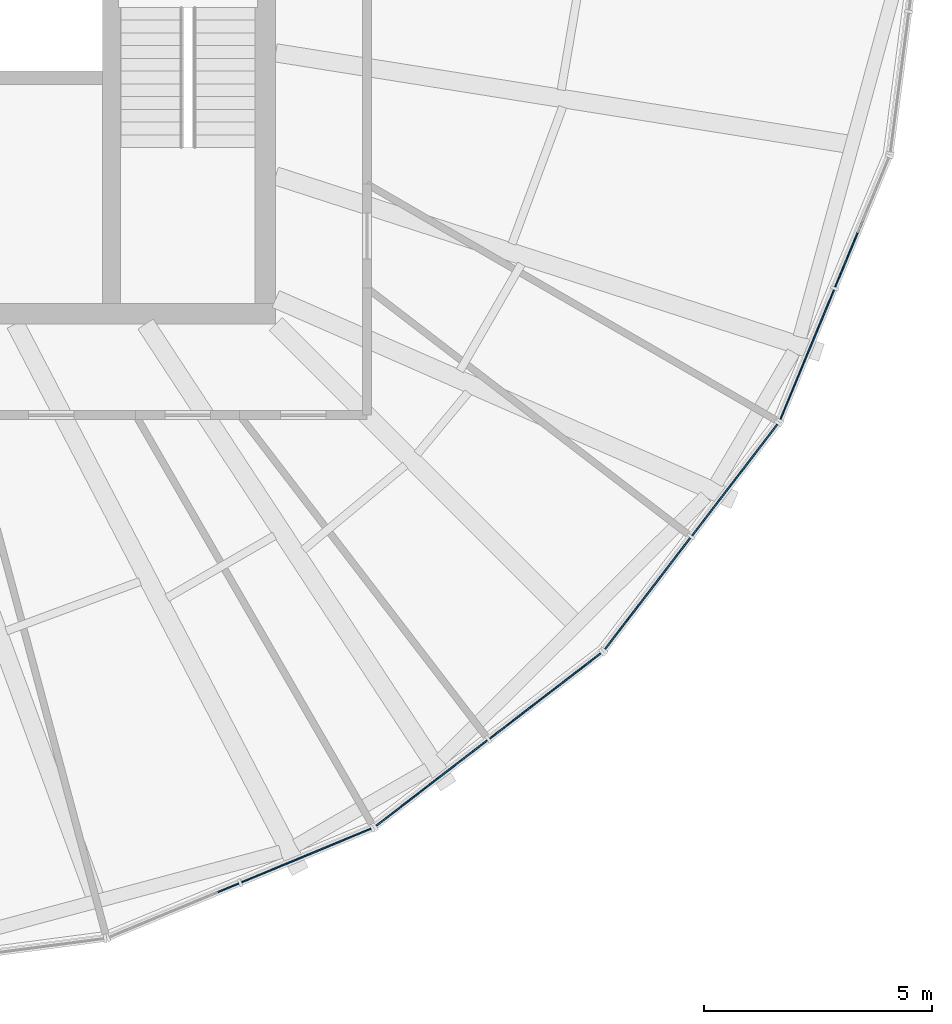
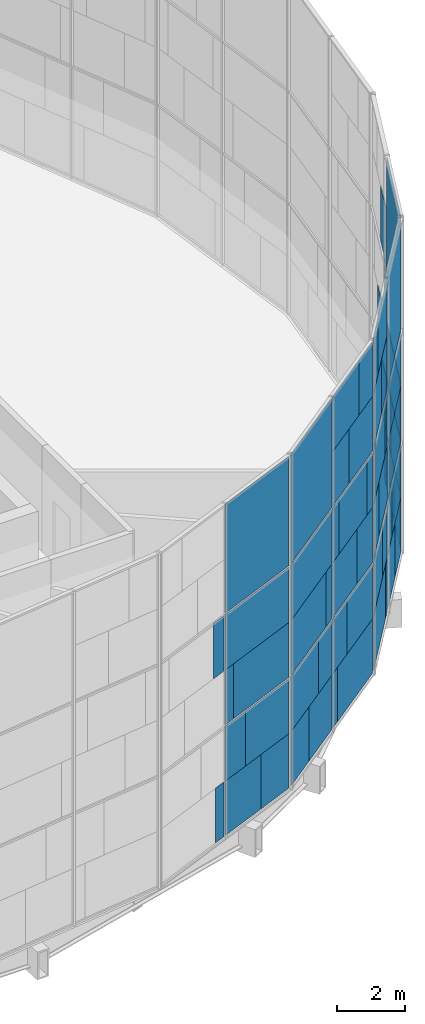
# One storey, part 13 of 22: 65 plates, 4 elements without a shape of their own.
"""IFC4 building model written with IfcOpenShell, lengths in metres."""

import ifcopenshell
import ifcopenshell.guid

model = None  # the IFC model being written
_history = None  # IfcOwnerHistory: only IFC2X3 demands one
_inside = {}  # id of a spatial element -> (the spatial element, [elements in it])
_under = {}  # id of a project, library or spatial element -> (it, [spatial elements below it])
_declared = {}  # id of a project -> (the project, [libraries it declares])
_typed = {}  # id of a type object -> (the type object, [elements of that type])
_made_of = {}  # id of a material, layer set ... -> (it, [elements and type objects made of it])


def new_model(schema):
    """Start an empty IFC model of exactly this schema.

    Asked for "IFC4X3", IfcOpenShell would pick the latest addendum, in which some entities
    have other attributes; the version numbers below select the first issue.
    IFC2X3 requires an IfcOwnerHistory on every rooted entity: one is made here for all.
    """
    global model, _history
    if schema == "IFC4X3":
        model = ifcopenshell.file(schema_version=(4, 3, 0, 0))
    else:
        model = ifcopenshell.file(schema=schema)
    _inside.clear()
    _under.clear()
    _declared.clear()
    _typed.clear()
    _made_of.clear()
    _history = None
    if model.schema == "IFC2X3":
        org = make("IfcOrganization", Name="unknown")
        user = make(
            "IfcPersonAndOrganization",
            ThePerson=make("IfcPerson", FamilyName="unknown"),
            TheOrganization=org,
        )
        app = make(
            "IfcApplication",
            ApplicationDeveloper=org,
            Version="unknown",
            ApplicationFullName="unknown",
            ApplicationIdentifier="unknown",
        )
        _history = make(
            "IfcOwnerHistory",
            OwningUser=user,
            OwningApplication=app,
            ChangeAction="ADDED",
            CreationDate=0,
        )
    return model


def make(cls, **values):
    """One entity of the class cls with the attributes given. An attribute that is None is left unset."""
    return model.create_entity(
        cls, **{name: value for name, value in values.items() if value is not None}
    )


def rooted(cls, **values):
    """An entity with a GlobalId (a new one), such as an element, a storey or a relation."""
    return make(cls, GlobalId=ifcopenshell.guid.new(), OwnerHistory=_history, **values)


def si_unit(unit_type, name, prefix=None):
    """IfcSIUnit, for example si_unit("LENGTHUNIT", "METRE", prefix="MILLI")."""
    return make("IfcSIUnit", UnitType=unit_type, Prefix=prefix, Name=name)


def assignment(units):
    """IfcUnitAssignment: the units of a project."""
    return None if units is None else make("IfcUnitAssignment", Units=units)


def point(xyz):
    """IfcCartesianPoint."""
    return None if xyz is None else make("IfcCartesianPoint", Coordinates=xyz)


def direction(xyz):
    """IfcDirection."""
    return None if xyz is None else make("IfcDirection", DirectionRatios=xyz)


def frame(location, z_axis=None, x_axis=None):
    """IfcAxis2Placement3D, a coordinate frame: its origin and axes. An axis left out is left unset."""
    return make(
        "IfcAxis2Placement3D",
        Location=point(location),
        Axis=direction(z_axis),
        RefDirection=direction(x_axis),
    )


def frame_2d(location, x_axis=None):
    """IfcAxis2Placement2D, a coordinate frame in the plane: its origin and x axis."""
    return make(
        "IfcAxis2Placement2D", Location=point(location), RefDirection=direction(x_axis)
    )


def origin():
    """The frame at (0, 0, 0) with its axes left unset."""
    return frame((0.0, 0.0, 0.0))


def origin_2d():
    """The frame at (0, 0) in the plane with its x axis left unset."""
    return frame_2d((0.0, 0.0))


def place(relative_to, where):
    """IfcLocalPlacement: puts the frame where relative to a parent placement (None: the world)."""
    return make(
        "IfcLocalPlacement", PlacementRelTo=relative_to, RelativePlacement=where
    )


def context(
    kind, dimensions, precision=None, world=None, true_north=None, identifier=None
):
    """IfcGeometricRepresentationContext, for example the 3D "Model" context."""
    return make(
        "IfcGeometricRepresentationContext",
        ContextIdentifier=identifier,
        ContextType=kind,
        CoordinateSpaceDimension=dimensions,
        Precision=precision,
        WorldCoordinateSystem=world,
        TrueNorth=true_north,
    )


def subcontext(parent, identifier, kind, view, scale=None):
    """IfcGeometricRepresentationSubContext, for example "Body" below "Model"."""
    return make(
        "IfcGeometricRepresentationSubContext",
        ContextIdentifier=identifier,
        ContextType=kind,
        ParentContext=parent,
        TargetScale=scale,
        TargetView=view,
    )


def project(units=None, contexts=None):
    """IfcProject with its units and contexts."""
    return rooted(
        "IfcProject",
        Name="project",
        RepresentationContexts=contexts,
        UnitsInContext=assignment(units),
    )


def spatial(cls, under=None, at=None, **own):
    """A site, building, storey or space (cls), placed at a placement, below another one or the project."""
    s = rooted(cls, ObjectPlacement=at, **own)
    if under is not None:
        _under.setdefault(under.id(), (under, []))[1].append(s)
    return s


def profile(cls, at=None, kind="AREA", **sizes):
    """A parametric profile (cls). Its sizes go by their IFC names, for example OverallWidth=200.0."""
    return make(cls, ProfileType=kind, Position=at, **sizes)


def rectangle(**sizes):
    """IfcRectangleProfileDef."""
    return profile("IfcRectangleProfileDef", **sizes)


def extrude(swept, where, along, depth):
    """IfcExtrudedAreaSolid: the profile swept, set in the frame where, extruded along a direction by depth."""
    return make(
        "IfcExtrudedAreaSolid",
        SweptArea=swept,
        Position=where,
        ExtrudedDirection=direction(along),
        Depth=depth,
    )


def shape(context_of_items, identifier, shape_type, items):
    """IfcShapeRepresentation: the items that make up one representation, for example the "Body"."""
    return make(
        "IfcShapeRepresentation",
        ContextOfItems=context_of_items,
        RepresentationIdentifier=identifier,
        RepresentationType=shape_type,
        Items=items,
    )


def material(Name=None, Category=None):
    """IfcMaterial."""
    return make("IfcMaterial", Name=Name, Category=Category)


def layer(
    of_material, thickness, ventilated=None, Name=None, Category=None, Priority=None
):
    """IfcMaterialLayer: one layer of a wall or slab, of a material (None: an air gap)."""
    return make(
        "IfcMaterialLayer",
        Material=of_material,
        LayerThickness=thickness,
        IsVentilated=ventilated,
        Name=Name,
        Category=Category,
        Priority=Priority,
    )


def layer_set(layers, Name=None):
    """IfcMaterialLayerSet."""
    return make("IfcMaterialLayerSet", MaterialLayers=layers, LayerSetName=Name)


def made_of(thing, what):
    """Note that an element or type object is made of a material, layer set ...; save() writes the relation."""
    if what is not None:
        _made_of.setdefault(what.id(), (what, []))[1].append(thing)
    return thing


def type_object(cls, material=None, **own):
    """A type object (cls), such as IfcWallType, which elements share."""
    return made_of(rooted(cls, **own), material)


def element(
    cls,
    number,
    at=None,
    inside=None,
    cuts=None,
    type_object=None,
    material=None,
    context=None,
    identifier="Body",
    shape_type=None,
    held_by="IfcProductDefinitionShape",
    body=None,
    shapes=None,
    **own,
):
    """One element of the class cls, such as IfcWall. Its Tag is "e" and its number.

    at: its placement. inside: the storey or other place that contains it. cuts: it is an
    opening in that element (IfcRelVoidsElement). A single representation is given by context,
    identifier, shape_type and body (its items); several are given by shapes. held_by: the class
    of the entity that holds the representations. save() writes the other relations.
    """
    e = rooted(cls, Tag="e%d" % number, ObjectPlacement=at, **own)
    if body is not None:
        shapes = [shape(context, identifier, shape_type, body)]
    if shapes is not None:
        e.Representation = make(held_by, Representations=shapes)
    if inside is not None:
        _inside.setdefault(inside.id(), (inside, []))[1].append(e)
    if cuts is not None:
        rooted(
            "IfcRelVoidsElement", RelatingBuildingElement=cuts, RelatedOpeningElement=e
        )
    if type_object is not None:
        _typed.setdefault(type_object.id(), (type_object, []))[1].append(e)
    return made_of(e, material)


def aggregate(whole, parts):
    """IfcRelAggregates: a whole, such as a stair, and the parts it consists of."""
    return rooted("IfcRelAggregates", RelatingObject=whole, RelatedObjects=parts)


def save(model, path):
    """Write the relations noted so far, then the file.

    IfcRelAggregates (storeys below a building ...), IfcRelContainedInSpatialStructure (elements
    in a storey), IfcRelDefinesByType, IfcRelAssociatesMaterial and IfcRelDeclares: one each for
    every whole, place, type object, material and project.
    """
    for whole, parts in _under.values():
        aggregate(whole, parts)
    for where, things in _inside.values():
        rooted(
            "IfcRelContainedInSpatialStructure",
            RelatedElements=things,
            RelatingStructure=where,
        )
    for kind, things in _typed.values():
        rooted("IfcRelDefinesByType", RelatedObjects=things, RelatingType=kind)
    for what, things in _made_of.values():
        rooted("IfcRelAssociatesMaterial", RelatedObjects=things, RelatingMaterial=what)
    for by, libraries in _declared.values():
        rooted("IfcRelDeclares", RelatingContext=by, RelatedDefinitions=libraries)
    model.write(path)


model = new_model("IFC4")

# Units and contexts
model_context = context("Model", 3, precision=1e-05, world=origin(), true_north=direction((0.0, 1.0)))
body_context = subcontext(model_context, "Body", "Model", "MODEL_VIEW")
ifc_project = project(units=[si_unit("LENGTHUNIT", "METRE"), si_unit("AREAUNIT", "SQUARE_METRE"), si_unit("VOLUMEUNIT", "CUBIC_METRE"), si_unit("PLANEANGLEUNIT", "RADIAN"), si_unit("MASSUNIT", "GRAM", prefix="KILO")], contexts=[model_context])

# Site, building, storey
site_placement = place(None, origin())
site = spatial("IfcSite", under=ifc_project, at=site_placement, CompositionType="ELEMENT")
building_placement = place(site_placement, origin())
building = spatial("IfcBuilding", under=site, at=building_placement, Name="Golbaran Civic Tower", CompositionType="ELEMENT")
storey_placement = place(building_placement, frame((0.0, 0.0, 155.0)))
storey = spatial("IfcBuildingStorey", under=building, at=storey_placement, Name="L37", CompositionType="ELEMENT", Elevation=155.0)

# Curtain wall, plates
ifc_material_1 = material(Name="Aluminium and glass", Category="aluminium")
curtain_wall_type = type_object("IfcCurtainWallType", Name="INNER SKIN CURTAIN WALL", PredefinedType="NOTDEFINED", material=ifc_material_1)
curtain_wall_1_placement = place(storey_placement, origin())
curtain_wall_1 = element("IfcCurtainWall", 1, at=curtain_wall_1_placement, inside=storey, type_object=curtain_wall_type, Name="Inner skin L37 facet 20 CW1", ObjectType="INNER SKIN", PredefinedType="USERDEFINED")
ifc_material_2 = material(Name="Clear insulating glass", Category="glass")
ifc_layer_1 = layer(ifc_material_2, 0.031982421875, Name="Clear insulating glass")
ifc_layer_set_1 = layer_set([ifc_layer_1], Name="Clear insulating glass")
plate_type_1 = type_object("IfcPlateType", Name="INNER SKIN CURTAIN WALL GLAZED PANEL", PredefinedType="CURTAIN_PANEL", material=ifc_layer_set_1)
plate_1_placement = place(storey_placement, frame((8.9609375, -22.367431640625, 6.0), z_axis=(0.0, 0.0, 1.0), x_axis=(0.923879532551, 0.382683432268, 0.0)))
plate_1 = element("IfcPlate", 2, at=plate_1_placement, type_object=plate_type_1, Name="CW1 panel 1.2 part 5", PredefinedType="CURTAIN_PANEL", context=body_context, shape_type="SweptSolid", body=[
    extrude(rectangle(XDim=0.49658203125, YDim=0.031982421875, at=origin_2d()), origin(), (0.0, 0.0, 1.0), 1.967529296875),
])
plate_2_placement = place(storey_placement, frame((11.4697265625, -21.328369140625, 0.06494140625), z_axis=(0.0, 0.0, 1.0), x_axis=(0.923879532551, 0.382683432268, 0.0)))
plate_2 = element("IfcPlate", 3, at=plate_2_placement, type_object=plate_type_1, Name="CW1 panel 2.1 part 2", PredefinedType="CURTAIN_PANEL", context=body_context, shape_type="SweptSolid", body=[
    extrude(rectangle(XDim=1.344482421875, YDim=0.031982421875, at=origin_2d()), origin(), (0.0, 0.0, 1.0), 1.951171875),
])
plate_3_placement = place(storey_placement, frame((11.12158203125, -21.47265625, 2.016357421875), z_axis=(0.0, 0.0, 1.0), x_axis=(0.923879532551, 0.382683432268, 0.0)))
plate_3 = element("IfcPlate", 4, at=plate_3_placement, type_object=plate_type_1, Name="CW1 panel 2.1 part 4", PredefinedType="CURTAIN_PANEL", context=body_context, shape_type="SweptSolid", body=[
    extrude(rectangle(XDim=2.0986328125, YDim=0.031982421875, at=origin_2d()), origin(), (0.0, 0.0, 1.0), 1.951171875),
])
plate_4_placement = place(storey_placement, frame((10.85546875, -21.582763671875, 4.03271484375), z_axis=(0.0, 0.0, 1.0), x_axis=(0.923879532551, 0.382683432268, 0.0)))
plate_4 = element("IfcPlate", 5, at=plate_4_placement, type_object=plate_type_1, Name="CW1 panel 2.2 part 2", PredefinedType="CURTAIN_PANEL", context=body_context, shape_type="SweptSolid", body=[
    extrude(rectangle(XDim=2.674560546875, YDim=0.031982421875, at=origin_2d()), origin(), (0.0, 0.0, 1.0), 1.967529296875),
])
plate_5_placement = place(storey_placement, frame((10.670654296875, -21.659423828125, 6.0), z_axis=(0.0, 0.0, 1.0), x_axis=(0.923879532551, 0.382683432268, 0.0)))
plate_5 = element("IfcPlate", 6, at=plate_5_placement, type_object=plate_type_1, Name="CW1 panel 2.2 part 3", PredefinedType="CURTAIN_PANEL", context=body_context, shape_type="SweptSolid", body=[
    extrude(rectangle(XDim=3.074462890625, YDim=0.031982421875, at=origin_2d()), origin(), (0.0, 0.0, 1.0), 1.967529296875),
])
plate_6_placement = place(storey_placement, frame((10.670654296875, -21.659423828125, 8.0322265625), z_axis=(0.0, 0.0, 1.0), x_axis=(0.923879532551, 0.382683432268, 0.0)))
plate_6 = element("IfcPlate", 7, at=plate_6_placement, type_object=plate_type_1, Name="CW1 panel 2.3", PredefinedType="CURTAIN_PANEL", context=body_context, shape_type="SweptSolid", body=[
    extrude(rectangle(XDim=3.074462890625, YDim=0.031982421875, at=origin_2d()), origin(), (0.0, 0.0, 1.0), 3.902587890625),
])

curtain_wall_2_placement = place(storey_placement, origin())
curtain_wall_2 = element("IfcCurtainWall", 8, at=curtain_wall_2_placement, inside=storey, type_object=curtain_wall_type, Name="Inner skin L37 facet 21 CW1", ObjectType="INNER SKIN", PredefinedType="USERDEFINED")
plate_7_placement = place(storey_placement, frame((12.736083984375, -20.59716796875, 0.06494140625), z_axis=(0.0, 0.0, 1.0), x_axis=(0.793353340217, 0.608761429106, 0.0)))
plate_7 = element("IfcPlate", 9, at=plate_7_placement, type_object=plate_type_1, Name="CW1 panel 1.1 part 1", PredefinedType="CURTAIN_PANEL", context=body_context, shape_type="SweptSolid", body=[
    extrude(rectangle(XDim=1.344970703125, YDim=0.031982421875, at=origin_2d()), origin(), (0.0, 0.0, 1.0), 1.951171875),
])
plate_8_placement = place(storey_placement, frame((13.034912109375, -20.367919921875, 2.016357421875), z_axis=(0.0, 0.0, 1.0), x_axis=(0.793353340217, 0.608761429106, 0.0)))
plate_8 = element("IfcPlate", 10, at=plate_8_placement, type_object=plate_type_1, Name="CW1 panel 1.1 part 3", PredefinedType="CURTAIN_PANEL", context=body_context, shape_type="SweptSolid", body=[
    extrude(rectangle(XDim=2.097900390625, YDim=0.031982421875, at=origin_2d()), origin(), (0.0, 0.0, 1.0), 1.951171875),
])
plate_9_placement = place(storey_placement, frame((13.262939453125, -20.19287109375, 4.03271484375), z_axis=(0.0, 0.0, 1.0), x_axis=(0.793353340217, 0.608761429106, 0.0)))
plate_9 = element("IfcPlate", 11, at=plate_9_placement, type_object=plate_type_1, Name="CW1 panel 1.2 part 1", PredefinedType="CURTAIN_PANEL", context=body_context, shape_type="SweptSolid", body=[
    extrude(rectangle(XDim=2.673095703125, YDim=0.031982421875, at=origin_2d()), origin(), (0.0, 0.0, 1.0), 1.967529296875),
])
plate_10_placement = place(storey_placement, frame((13.422119140625, -20.07080078125, 6.0), z_axis=(0.0, 0.0, 1.0), x_axis=(0.793353340217, 0.608761429106, 0.0)))
plate_10 = element("IfcPlate", 12, at=plate_10_placement, type_object=plate_type_1, Name="CW1 panel 1.2 part 3", PredefinedType="CURTAIN_PANEL", context=body_context, shape_type="SweptSolid", body=[
    extrude(rectangle(XDim=3.074462890625, YDim=0.031982421875, at=origin_2d()), origin(), (0.0, 0.0, 1.0), 1.967529296875),
])
plate_11_placement = place(storey_placement, frame((13.422119140625, -20.07080078125, 8.0322265625), z_axis=(0.0, 0.0, 1.0), x_axis=(0.793353340217, 0.608761429106, 0.0)))
plate_11 = element("IfcPlate", 13, at=plate_11_placement, type_object=plate_type_1, Name="CW1 panel 1.3", PredefinedType="CURTAIN_PANEL", context=body_context, shape_type="SweptSolid", body=[
    extrude(rectangle(XDim=3.074462890625, YDim=0.031982421875, at=origin_2d()), origin(), (0.0, 0.0, 1.0), 3.902587890625),
])
plate_12_placement = place(storey_placement, frame((16.072021484375, -18.037353515625, 0.06494140625), z_axis=(0.0, 0.0, 1.0), x_axis=(0.793353340217, 0.608761429106, 0.0)))
plate_12 = element("IfcPlate", 14, at=plate_12_placement, type_object=plate_type_1, Name="CW1 panel 2.1 part 2", PredefinedType="CURTAIN_PANEL", context=body_context, shape_type="SweptSolid", body=[
    extrude(rectangle(XDim=2.673583984375, YDim=0.031982421875, at=origin_2d()), origin(), (0.0, 0.0, 1.0), 1.951171875),
])
plate_13_placement = place(storey_placement, frame((16.353271484375, -17.821533203125, 2.016357421875), z_axis=(0.0, 0.0, 1.0), x_axis=(0.793353340217, 0.608761429106, 0.0)))
plate_13 = element("IfcPlate", 15, at=plate_13_placement, type_object=plate_type_1, Name="CW1 panel 2.1 part 4", PredefinedType="CURTAIN_PANEL", context=body_context, shape_type="SweptSolid", body=[
    extrude(rectangle(XDim=1.964599609375, YDim=0.031982421875, at=origin_2d()), origin(), (0.0, 0.0, 1.0), 1.951171875),
])
plate_14_placement = place(storey_placement, frame((16.66455078125, -17.582763671875, 4.03271484375), z_axis=(0.0, 0.0, 1.0), x_axis=(0.793353340217, 0.608761429106, 0.0)))
plate_14 = element("IfcPlate", 16, at=plate_14_placement, type_object=plate_type_1, Name="CW1 panel 2.2 part 2", PredefinedType="CURTAIN_PANEL", context=body_context, shape_type="SweptSolid", body=[
    extrude(rectangle(XDim=1.179443359375, YDim=0.031982421875, at=origin_2d()), origin(), (0.0, 0.0, 1.0), 1.967529296875),
])
plate_15_placement = place(storey_placement, frame((14.890380859375, -18.944091796875, 6.0), z_axis=(0.0, 0.0, 1.0), x_axis=(0.793353340217, 0.608761429106, 0.0)))
plate_15 = element("IfcPlate", 17, at=plate_15_placement, type_object=plate_type_1, Name="CW1 panel 2.2 part 3", PredefinedType="CURTAIN_PANEL", context=body_context, shape_type="SweptSolid", body=[
    extrude(rectangle(XDim=0.4970703125, YDim=0.031982421875, at=origin_2d()), origin(), (0.0, 0.0, 1.0), 1.967529296875),
])
plate_16_placement = place(storey_placement, frame((16.966064453125, -17.351318359375, 6.0), z_axis=(0.0, 0.0, 1.0), x_axis=(0.793353340217, 0.608761429106, 0.0)))
plate_16 = element("IfcPlate", 18, at=plate_16_placement, type_object=plate_type_1, Name="CW1 panel 2.2 part 5", PredefinedType="CURTAIN_PANEL", context=body_context, shape_type="SweptSolid", body=[
    extrude(rectangle(XDim=0.41943359375, YDim=0.031982421875, at=origin_2d()), origin(), (0.0, 0.0, 1.0), 1.967529296875),
])
plate_17_placement = place(storey_placement, frame((15.201904296875, -18.705078125, 8.032470703125), z_axis=(0.0, 0.0, 1.0), x_axis=(0.793353340217, 0.608761429106, 0.0)))
plate_17 = element("IfcPlate", 19, at=plate_17_placement, type_object=plate_type_1, Name="CW1 panel 2.3 part 1", PredefinedType="CURTAIN_PANEL", context=body_context, shape_type="SweptSolid", body=[
    extrude(rectangle(XDim=1.281982421875, YDim=0.031982421875, at=origin_2d()), origin(), (0.0, 0.0, 1.0), 1.951171875),
])
plate_18_placement = place(storey_placement, frame((15.50048828125, -18.475830078125, 9.98388671875), z_axis=(0.0, 0.0, 1.0), x_axis=(0.793353340217, 0.608761429106, 0.0)))
plate_18 = element("IfcPlate", 20, at=plate_18_placement, type_object=plate_type_1, Name="CW1 panel 2.3 part 3", PredefinedType="CURTAIN_PANEL", context=body_context, shape_type="SweptSolid", body=[
    extrude(rectangle(XDim=2.034912109375, YDim=0.031982421875, at=origin_2d()), origin(), (0.0, 0.0, 1.0), 1.951171875),
])

curtain_wall_3_placement = place(storey_placement, origin())
curtain_wall_3 = element("IfcCurtainWall", 21, at=curtain_wall_3_placement, inside=storey, type_object=curtain_wall_type, Name="Inner skin L37 facet 22 CW1", ObjectType="INNER SKIN", PredefinedType="USERDEFINED")
plate_19_placement = place(storey_placement, frame((18.037353515625, -16.072265625, 0.06494140625), z_axis=(0.0, 0.0, 1.0), x_axis=(0.608761429106, 0.793353340217, 0.0)))
plate_19 = element("IfcPlate", 22, at=plate_19_placement, type_object=plate_type_1, Name="CW1 panel 1.1 part 1", PredefinedType="CURTAIN_PANEL", context=body_context, shape_type="SweptSolid", body=[
    extrude(rectangle(XDim=2.673095703125, YDim=0.031982421875, at=origin_2d()), origin(), (0.0, 0.0, 1.0), 1.951171875),
])
plate_20_placement = place(storey_placement, frame((17.821533203125, -16.353515625, 2.016357421875), z_axis=(0.0, 0.0, 1.0), x_axis=(0.608761429106, 0.793353340217, 0.0)))
plate_20 = element("IfcPlate", 23, at=plate_20_placement, type_object=plate_type_1, Name="CW1 panel 1.1 part 3", PredefinedType="CURTAIN_PANEL", context=body_context, shape_type="SweptSolid", body=[
    extrude(rectangle(XDim=1.964111328125, YDim=0.031982421875, at=origin_2d()), origin(), (0.0, 0.0, 1.0), 1.951171875),
])
plate_21_placement = place(storey_placement, frame((17.582763671875, -16.66455078125, 4.03271484375), z_axis=(0.0, 0.0, 1.0), x_axis=(0.608761429106, 0.793353340217, 0.0)))
plate_21 = element("IfcPlate", 24, at=plate_21_placement, type_object=plate_type_1, Name="CW1 panel 1.2 part 1", PredefinedType="CURTAIN_PANEL", context=body_context, shape_type="SweptSolid", body=[
    extrude(rectangle(XDim=1.179931640625, YDim=0.031982421875, at=origin_2d()), origin(), (0.0, 0.0, 1.0), 1.967529296875),
])
plate_22_placement = place(storey_placement, frame((17.3515625, -16.9658203125, 6.0), z_axis=(0.0, 0.0, 1.0), x_axis=(0.608761429106, 0.793353340217, 0.0)))
plate_22 = element("IfcPlate", 25, at=plate_22_placement, type_object=plate_type_1, Name="CW1 panel 1.2 part 3", PredefinedType="CURTAIN_PANEL", context=body_context, shape_type="SweptSolid", body=[
    extrude(rectangle(XDim=0.419921875, YDim=0.031982421875, at=origin_2d()), origin(), (0.0, 0.0, 1.0), 1.967529296875),
])
plate_23_placement = place(storey_placement, frame((18.944091796875, -14.890380859375, 6.0), z_axis=(0.0, 0.0, 1.0), x_axis=(0.608761429106, 0.793353340217, 0.0)))
plate_23 = element("IfcPlate", 26, at=plate_23_placement, type_object=plate_type_1, Name="CW1 panel 1.2 part 5", PredefinedType="CURTAIN_PANEL", context=body_context, shape_type="SweptSolid", body=[
    extrude(rectangle(XDim=0.49658203125, YDim=0.031982421875, at=origin_2d()), origin(), (0.0, 0.0, 1.0), 1.967529296875),
])
plate_24_placement = place(storey_placement, frame((18.705322265625, -15.20166015625, 8.032470703125), z_axis=(0.0, 0.0, 1.0), x_axis=(0.608761429106, 0.793353340217, 0.0)))
plate_24 = element("IfcPlate", 27, at=plate_24_placement, type_object=plate_type_1, Name="CW1 panel 1.3 part 2", PredefinedType="CURTAIN_PANEL", context=body_context, shape_type="SweptSolid", body=[
    extrude(rectangle(XDim=1.281494140625, YDim=0.031982421875, at=origin_2d()), origin(), (0.0, 0.0, 1.0), 1.951171875),
])
plate_25_placement = place(storey_placement, frame((18.475830078125, -15.500732421875, 9.98388671875), z_axis=(0.0, 0.0, 1.0), x_axis=(0.608761429106, 0.793353340217, 0.0)))
plate_25 = element("IfcPlate", 28, at=plate_25_placement, type_object=plate_type_1, Name="CW1 panel 1.3 part 4", PredefinedType="CURTAIN_PANEL", context=body_context, shape_type="SweptSolid", body=[
    extrude(rectangle(XDim=2.03564453125, YDim=0.031982421875, at=origin_2d()), origin(), (0.0, 0.0, 1.0), 1.951171875),
])
plate_26_placement = place(storey_placement, frame((20.597412109375, -12.73583984375, 0.06494140625), z_axis=(0.0, 0.0, 1.0), x_axis=(0.608761429106, 0.793353340217, 0.0)))
plate_26 = element("IfcPlate", 29, at=plate_26_placement, type_object=plate_type_1, Name="CW1 panel 2.1 part 2", PredefinedType="CURTAIN_PANEL", context=body_context, shape_type="SweptSolid", body=[
    extrude(rectangle(XDim=1.344482421875, YDim=0.031982421875, at=origin_2d()), origin(), (0.0, 0.0, 1.0), 1.951171875),
])
plate_27_placement = place(storey_placement, frame((20.367919921875, -13.034912109375, 2.016357421875), z_axis=(0.0, 0.0, 1.0), x_axis=(0.608761429106, 0.793353340217, 0.0)))
plate_27 = element("IfcPlate", 30, at=plate_27_placement, type_object=plate_type_1, Name="CW1 panel 2.1 part 4", PredefinedType="CURTAIN_PANEL", context=body_context, shape_type="SweptSolid", body=[
    extrude(rectangle(XDim=2.0986328125, YDim=0.031982421875, at=origin_2d()), origin(), (0.0, 0.0, 1.0), 1.951171875),
])
plate_28_placement = place(storey_placement, frame((20.1923828125, -13.263427734375, 4.03271484375), z_axis=(0.0, 0.0, 1.0), x_axis=(0.608761429106, 0.793353340217, 0.0)))
plate_28 = element("IfcPlate", 31, at=plate_28_placement, type_object=plate_type_1, Name="CW1 panel 2.2 part 2", PredefinedType="CURTAIN_PANEL", context=body_context, shape_type="SweptSolid", body=[
    extrude(rectangle(XDim=2.674560546875, YDim=0.031982421875, at=origin_2d()), origin(), (0.0, 0.0, 1.0), 1.967529296875),
])
plate_29_placement = place(storey_placement, frame((20.07080078125, -13.422119140625, 6.0), z_axis=(0.0, 0.0, 1.0), x_axis=(0.608761429106, 0.793353340217, 0.0)))
plate_29 = element("IfcPlate", 32, at=plate_29_placement, type_object=plate_type_1, Name="CW1 panel 2.2 part 3", PredefinedType="CURTAIN_PANEL", context=body_context, shape_type="SweptSolid", body=[
    extrude(rectangle(XDim=3.074462890625, YDim=0.031982421875, at=origin_2d()), origin(), (0.0, 0.0, 1.0), 1.967529296875),
])
plate_30_placement = place(storey_placement, frame((20.07080078125, -13.422119140625, 8.0322265625), z_axis=(0.0, 0.0, 1.0), x_axis=(0.608761429106, 0.793353340217, 0.0)))
plate_30 = element("IfcPlate", 33, at=plate_30_placement, type_object=plate_type_1, Name="CW1 panel 2.3", PredefinedType="CURTAIN_PANEL", context=body_context, shape_type="SweptSolid", body=[
    extrude(rectangle(XDim=3.074462890625, YDim=0.031982421875, at=origin_2d()), origin(), (0.0, 0.0, 1.0), 3.902587890625),
])

curtain_wall_4_placement = place(storey_placement, origin())
curtain_wall_4 = element("IfcCurtainWall", 34, at=curtain_wall_4_placement, inside=storey, type_object=curtain_wall_type, Name="Inner skin L37 facet 23 CW1", ObjectType="INNER SKIN", PredefinedType="USERDEFINED")
plate_31_placement = place(storey_placement, frame((21.328369140625, -11.4697265625, 0.06494140625), z_axis=(0.0, 0.0, 1.0), x_axis=(0.382683432268, 0.923879532551, 0.0)))
plate_31 = element("IfcPlate", 35, at=plate_31_placement, type_object=plate_type_1, Name="CW1 panel 1.1 part 1", PredefinedType="CURTAIN_PANEL", context=body_context, shape_type="SweptSolid", body=[
    extrude(rectangle(XDim=1.344970703125, YDim=0.031982421875, at=origin_2d()), origin(), (0.0, 0.0, 1.0), 1.951171875),
])
plate_32_placement = place(storey_placement, frame((21.472412109375, -11.121826171875, 2.016357421875), z_axis=(0.0, 0.0, 1.0), x_axis=(0.382683432268, 0.923879532551, 0.0)))
plate_32 = element("IfcPlate", 36, at=plate_32_placement, type_object=plate_type_1, Name="CW1 panel 1.1 part 3", PredefinedType="CURTAIN_PANEL", context=body_context, shape_type="SweptSolid", body=[
    extrude(rectangle(XDim=2.097900390625, YDim=0.031982421875, at=origin_2d()), origin(), (0.0, 0.0, 1.0), 1.951171875),
])
plate_33_placement = place(storey_placement, frame((21.58251953125, -10.856201171875, 4.03271484375), z_axis=(0.0, 0.0, 1.0), x_axis=(0.382683432268, 0.923879532551, 0.0)))
plate_33 = element("IfcPlate", 37, at=plate_33_placement, type_object=plate_type_1, Name="CW1 panel 1.2 part 1", PredefinedType="CURTAIN_PANEL", context=body_context, shape_type="SweptSolid", body=[
    extrude(rectangle(XDim=2.673095703125, YDim=0.031982421875, at=origin_2d()), origin(), (0.0, 0.0, 1.0), 1.967529296875),
])
plate_34_placement = place(storey_placement, frame((21.659423828125, -10.670654296875, 6.0), z_axis=(0.0, 0.0, 1.0), x_axis=(0.382683432268, 0.923879532551, 0.0)))
plate_34 = element("IfcPlate", 38, at=plate_34_placement, type_object=plate_type_1, Name="CW1 panel 1.2 part 3", PredefinedType="CURTAIN_PANEL", context=body_context, shape_type="SweptSolid", body=[
    extrude(rectangle(XDim=3.074462890625, YDim=0.031982421875, at=origin_2d()), origin(), (0.0, 0.0, 1.0), 1.967529296875),
])
plate_35_placement = place(storey_placement, frame((21.659423828125, -10.670654296875, 8.0322265625), z_axis=(0.0, 0.0, 1.0), x_axis=(0.382683432268, 0.923879532551, 0.0)))
plate_35 = element("IfcPlate", 39, at=plate_35_placement, type_object=plate_type_1, Name="CW1 panel 1.3", PredefinedType="CURTAIN_PANEL", context=body_context, shape_type="SweptSolid", body=[
    extrude(rectangle(XDim=3.074462890625, YDim=0.031982421875, at=origin_2d()), origin(), (0.0, 0.0, 1.0), 3.902587890625),
])
plate_36_placement = place(storey_placement, frame((22.36767578125, -8.960693359375, 6.0), z_axis=(0.0, 0.0, 1.0), x_axis=(0.382683432268, 0.923879532551, 0.0)))
plate_36 = element("IfcPlate", 40, at=plate_36_placement, type_object=plate_type_1, Name="CW1 panel 2.2 part 3", PredefinedType="CURTAIN_PANEL", context=body_context, shape_type="SweptSolid", body=[
    extrude(rectangle(XDim=0.4970703125, YDim=0.031982421875, at=origin_2d()), origin(), (0.0, 0.0, 1.0), 1.967529296875),
])
plate_37_placement = place(storey_placement, frame((22.517822265625, -8.59814453125, 8.032470703125), z_axis=(0.0, 0.0, 1.0), x_axis=(0.382683432268, 0.923879532551, 0.0)))
plate_37 = element("IfcPlate", 41, at=plate_37_placement, type_object=plate_type_1, Name="CW1 panel 2.3 part 1", PredefinedType="CURTAIN_PANEL", context=body_context, shape_type="SweptSolid", body=[
    extrude(rectangle(XDim=1.281982421875, YDim=0.031982421875, at=origin_2d()), origin(), (0.0, 0.0, 1.0), 1.951171875),
])

# Plate
ifc_material_3 = material(Name="Aluminium faced opaque infill panel", Category="aluminium")
ifc_layer_2 = layer(ifc_material_3, 0.031982421875, Name="Aluminium faced opaque infill panel")
ifc_layer_set_2 = layer_set([ifc_layer_2], Name="Aluminium faced opaque infill panel")
plate_type_2 = type_object("IfcPlateType", Name="INNER SKIN CURTAIN WALL OPAQUE INFILL PANEL", PredefinedType="CURTAIN_PANEL", material=ifc_layer_set_2)
plate_38_placement = place(storey_placement, frame((9.0048828125, -22.349365234375, 0.06494140625), z_axis=(0.0, 0.0, 1.0), x_axis=(0.923879532551, 0.382683432268, 0.0)))
plate_38 = element("IfcPlate", 42, at=plate_38_placement, type_object=plate_type_2, Name="CW1 infill panel 1.1 part 2", PredefinedType="CURTAIN_PANEL", context=body_context, shape_type="SweptSolid", body=[
    extrude(rectangle(XDim=0.401611328125, YDim=0.031982421875, at=origin_2d()), origin(), (0.0, 0.0, 1.0), 1.951171875),
])

plate_39_placement = place(storey_placement, frame((10.049560546875, -21.91650390625, 0.06494140625), z_axis=(0.0, 0.0, 1.0), x_axis=(0.923879532551, 0.382683432268, 0.0)))
plate_39 = element("IfcPlate", 43, at=plate_39_placement, type_object=plate_type_2, Name="CW1 infill panel 2.1 part 1", PredefinedType="CURTAIN_PANEL", context=body_context, shape_type="SweptSolid", body=[
    extrude(rectangle(XDim=1.72998046875, YDim=0.031982421875, at=origin_2d()), origin(), (0.0, 0.0, 1.0), 1.951171875),
])

plate_40_placement = place(storey_placement, frame((9.701171875, -22.060791015625, 2.016357421875), z_axis=(0.0, 0.0, 1.0), x_axis=(0.923879532551, 0.382683432268, 0.0)))
plate_40 = element("IfcPlate", 44, at=plate_40_placement, type_object=plate_type_2, Name="CW1 infill panel 2.1 part 3", PredefinedType="CURTAIN_PANEL", context=body_context, shape_type="SweptSolid", body=[
    extrude(rectangle(XDim=0.97607421875, YDim=0.031982421875, at=origin_2d()), origin(), (0.0, 0.0, 1.0), 1.951171875),
])

plate_41_placement = place(storey_placement, frame((9.435302734375, -22.171142578125, 4.03271484375), z_axis=(0.0, 0.0, 1.0), x_axis=(0.923879532551, 0.382683432268, 0.0)))
plate_41 = element("IfcPlate", 45, at=plate_41_placement, type_object=plate_type_2, Name="CW1 infill panel 2.2 part 1", PredefinedType="CURTAIN_PANEL", context=body_context, shape_type="SweptSolid", body=[
    extrude(rectangle(XDim=0.39990234375, YDim=0.031982421875, at=origin_2d()), origin(), (0.0, 0.0, 1.0), 1.967529296875),
])

aggregate(curtain_wall_1, [plate_38, plate_1, plate_39, plate_2, plate_40, plate_3, plate_41, plate_4, plate_5, plate_6])

plate_42_placement = place(storey_placement, frame((13.955810546875, -19.661376953125, 0.06494140625), z_axis=(0.0, 0.0, 1.0), x_axis=(0.793353340217, 0.608761429106, 0.0)))
plate_42 = element("IfcPlate", 46, at=plate_42_placement, type_object=plate_type_2, Name="CW1 infill panel 1.1 part 2", PredefinedType="CURTAIN_PANEL", context=body_context, shape_type="SweptSolid", body=[
    extrude(rectangle(XDim=1.7294921875, YDim=0.031982421875, at=origin_2d()), origin(), (0.0, 0.0, 1.0), 1.951171875),
])

plate_43_placement = place(storey_placement, frame((14.25439453125, -19.43212890625, 2.016357421875), z_axis=(0.0, 0.0, 1.0), x_axis=(0.793353340217, 0.608761429106, 0.0)))
plate_43 = element("IfcPlate", 47, at=plate_43_placement, type_object=plate_type_2, Name="CW1 infill panel 1.1 part 4", PredefinedType="CURTAIN_PANEL", context=body_context, shape_type="SweptSolid", body=[
    extrude(rectangle(XDim=0.9765625, YDim=0.031982421875, at=origin_2d()), origin(), (0.0, 0.0, 1.0), 1.951171875),
])

plate_44_placement = place(storey_placement, frame((14.482421875, -19.257080078125, 4.03271484375), z_axis=(0.0, 0.0, 1.0), x_axis=(0.793353340217, 0.608761429106, 0.0)))
plate_44 = element("IfcPlate", 48, at=plate_44_placement, type_object=plate_type_2, Name="CW1 infill panel 1.2 part 2", PredefinedType="CURTAIN_PANEL", context=body_context, shape_type="SweptSolid", body=[
    extrude(rectangle(XDim=0.401611328125, YDim=0.031982421875, at=origin_2d()), origin(), (0.0, 0.0, 1.0), 1.967529296875),
])

plate_45_placement = place(storey_placement, frame((14.852294921875, -18.973388671875, 0.06494140625), z_axis=(0.0, 0.0, 1.0), x_axis=(0.793353340217, 0.608761429106, 0.0)))
plate_45 = element("IfcPlate", 49, at=plate_45_placement, type_object=plate_type_2, Name="CW1 infill panel 2.1 part 1", PredefinedType="CURTAIN_PANEL", context=body_context, shape_type="SweptSolid", body=[
    extrude(rectangle(XDim=0.40087890625, YDim=0.031982421875, at=origin_2d()), origin(), (0.0, 0.0, 1.0), 1.951171875),
])

plate_46_placement = place(storey_placement, frame((15.133544921875, -18.757568359375, 2.016357421875), z_axis=(0.0, 0.0, 1.0), x_axis=(0.793353340217, 0.608761429106, 0.0)))
plate_46 = element("IfcPlate", 50, at=plate_46_placement, type_object=plate_type_2, Name="CW1 infill panel 2.1 part 3", PredefinedType="CURTAIN_PANEL", context=body_context, shape_type="SweptSolid", body=[
    extrude(rectangle(XDim=1.110107421875, YDim=0.031982421875, at=origin_2d()), origin(), (0.0, 0.0, 1.0), 1.951171875),
])

plate_47_placement = place(storey_placement, frame((15.445068359375, -18.5185546875, 4.03271484375), z_axis=(0.0, 0.0, 1.0), x_axis=(0.793353340217, 0.608761429106, 0.0)))
plate_47 = element("IfcPlate", 51, at=plate_47_placement, type_object=plate_type_2, Name="CW1 infill panel 2.2 part 1", PredefinedType="CURTAIN_PANEL", context=body_context, shape_type="SweptSolid", body=[
    extrude(rectangle(XDim=1.89501953125, YDim=0.031982421875, at=origin_2d()), origin(), (0.0, 0.0, 1.0), 1.967529296875),
])

plate_48_placement = place(storey_placement, frame((15.943603515625, -18.135986328125, 6.0), z_axis=(0.0, 0.0, 1.0), x_axis=(0.793353340217, 0.608761429106, 0.0)))
plate_48 = element("IfcPlate", 52, at=plate_48_placement, type_object=plate_type_2, Name="CW1 infill panel 2.2 part 4", PredefinedType="CURTAIN_PANEL", context=body_context, shape_type="SweptSolid", body=[
    extrude(rectangle(XDim=2.157958984375, YDim=0.031982421875, at=origin_2d()), origin(), (0.0, 0.0, 1.0), 1.967529296875),
])

plate_49_placement = place(storey_placement, frame((16.42138671875, -17.769287109375, 8.032470703125), z_axis=(0.0, 0.0, 1.0), x_axis=(0.793353340217, 0.608761429106, 0.0)))
plate_49 = element("IfcPlate", 53, at=plate_49_placement, type_object=plate_type_2, Name="CW1 infill panel 2.3 part 2", PredefinedType="CURTAIN_PANEL", context=body_context, shape_type="SweptSolid", body=[
    extrude(rectangle(XDim=1.79248046875, YDim=0.031982421875, at=origin_2d()), origin(), (0.0, 0.0, 1.0), 1.951171875),
])

plate_50_placement = place(storey_placement, frame((16.72021484375, -17.5400390625, 9.98388671875), z_axis=(0.0, 0.0, 1.0), x_axis=(0.793353340217, 0.608761429106, 0.0)))
plate_50 = element("IfcPlate", 54, at=plate_50_placement, type_object=plate_type_2, Name="CW1 infill panel 2.3 part 4", PredefinedType="CURTAIN_PANEL", context=body_context, shape_type="SweptSolid", body=[
    extrude(rectangle(XDim=1.03955078125, YDim=0.031982421875, at=origin_2d()), origin(), (0.0, 0.0, 1.0), 1.951171875),
])

aggregate(curtain_wall_2, [plate_7, plate_42, plate_8, plate_43, plate_9, plate_44, plate_10, plate_11, plate_45, plate_12, plate_46, plate_13, plate_47, plate_14, plate_15, plate_48, plate_16, plate_17, plate_49, plate_18, plate_50])

plate_51_placement = place(storey_placement, frame((18.97314453125, -14.8525390625, 0.06494140625), z_axis=(0.0, 0.0, 1.0), x_axis=(0.608761429106, 0.793353340217, 0.0)))
plate_51 = element("IfcPlate", 55, at=plate_51_placement, type_object=plate_type_2, Name="CW1 infill panel 1.1 part 2", PredefinedType="CURTAIN_PANEL", context=body_context, shape_type="SweptSolid", body=[
    extrude(rectangle(XDim=0.401611328125, YDim=0.031982421875, at=origin_2d()), origin(), (0.0, 0.0, 1.0), 1.951171875),
])

plate_52_placement = place(storey_placement, frame((18.75732421875, -15.1337890625, 2.016357421875), z_axis=(0.0, 0.0, 1.0), x_axis=(0.608761429106, 0.793353340217, 0.0)))
plate_52 = element("IfcPlate", 56, at=plate_52_placement, type_object=plate_type_2, Name="CW1 infill panel 1.1 part 4", PredefinedType="CURTAIN_PANEL", context=body_context, shape_type="SweptSolid", body=[
    extrude(rectangle(XDim=1.110595703125, YDim=0.031982421875, at=origin_2d()), origin(), (0.0, 0.0, 1.0), 1.951171875),
])

plate_53_placement = place(storey_placement, frame((18.518798828125, -15.44482421875, 4.03271484375), z_axis=(0.0, 0.0, 1.0), x_axis=(0.608761429106, 0.793353340217, 0.0)))
plate_53 = element("IfcPlate", 57, at=plate_53_placement, type_object=plate_type_2, Name="CW1 infill panel 1.2 part 2", PredefinedType="CURTAIN_PANEL", context=body_context, shape_type="SweptSolid", body=[
    extrude(rectangle(XDim=1.89453125, YDim=0.031982421875, at=origin_2d()), origin(), (0.0, 0.0, 1.0), 1.967529296875),
])

plate_54_placement = place(storey_placement, frame((18.13623046875, -15.943359375, 6.0), z_axis=(0.0, 0.0, 1.0), x_axis=(0.608761429106, 0.793353340217, 0.0)))
plate_54 = element("IfcPlate", 58, at=plate_54_placement, type_object=plate_type_2, Name="CW1 infill panel 1.2 part 4", PredefinedType="CURTAIN_PANEL", context=body_context, shape_type="SweptSolid", body=[
    extrude(rectangle(XDim=2.157958984375, YDim=0.031982421875, at=origin_2d()), origin(), (0.0, 0.0, 1.0), 1.967529296875),
])

plate_55_placement = place(storey_placement, frame((17.76953125, -16.42138671875, 8.032470703125), z_axis=(0.0, 0.0, 1.0), x_axis=(0.608761429106, 0.793353340217, 0.0)))
plate_55 = element("IfcPlate", 59, at=plate_55_placement, type_object=plate_type_2, Name="CW1 infill panel 1.3 part 1", PredefinedType="CURTAIN_PANEL", context=body_context, shape_type="SweptSolid", body=[
    extrude(rectangle(XDim=1.79296875, YDim=0.031982421875, at=origin_2d()), origin(), (0.0, 0.0, 1.0), 1.951171875),
])

plate_56_placement = place(storey_placement, frame((17.5400390625, -16.720458984375, 9.98388671875), z_axis=(0.0, 0.0, 1.0), x_axis=(0.608761429106, 0.793353340217, 0.0)))
plate_56 = element("IfcPlate", 60, at=plate_56_placement, type_object=plate_type_2, Name="CW1 infill panel 1.3 part 3", PredefinedType="CURTAIN_PANEL", context=body_context, shape_type="SweptSolid", body=[
    extrude(rectangle(XDim=1.0390625, YDim=0.031982421875, at=origin_2d()), origin(), (0.0, 0.0, 1.0), 1.951171875),
])

plate_57_placement = place(storey_placement, frame((19.661376953125, -13.95556640625, 0.06494140625), z_axis=(0.0, 0.0, 1.0), x_axis=(0.608761429106, 0.793353340217, 0.0)))
plate_57 = element("IfcPlate", 61, at=plate_57_placement, type_object=plate_type_2, Name="CW1 infill panel 2.1 part 1", PredefinedType="CURTAIN_PANEL", context=body_context, shape_type="SweptSolid", body=[
    extrude(rectangle(XDim=1.72998046875, YDim=0.031982421875, at=origin_2d()), origin(), (0.0, 0.0, 1.0), 1.951171875),
])

plate_58_placement = place(storey_placement, frame((19.431884765625, -14.254638671875, 2.016357421875), z_axis=(0.0, 0.0, 1.0), x_axis=(0.608761429106, 0.793353340217, 0.0)))
plate_58 = element("IfcPlate", 62, at=plate_58_placement, type_object=plate_type_2, Name="CW1 infill panel 2.1 part 3", PredefinedType="CURTAIN_PANEL", context=body_context, shape_type="SweptSolid", body=[
    extrude(rectangle(XDim=0.97607421875, YDim=0.031982421875, at=origin_2d()), origin(), (0.0, 0.0, 1.0), 1.951171875),
])

plate_59_placement = place(storey_placement, frame((19.256591796875, -14.483154296875, 4.03271484375), z_axis=(0.0, 0.0, 1.0), x_axis=(0.608761429106, 0.793353340217, 0.0)))
plate_59 = element("IfcPlate", 63, at=plate_59_placement, type_object=plate_type_2, Name="CW1 infill panel 2.2 part 1", PredefinedType="CURTAIN_PANEL", context=body_context, shape_type="SweptSolid", body=[
    extrude(rectangle(XDim=0.39990234375, YDim=0.031982421875, at=origin_2d()), origin(), (0.0, 0.0, 1.0), 1.967529296875),
])

aggregate(curtain_wall_3, [plate_19, plate_51, plate_20, plate_52, plate_21, plate_53, plate_22, plate_54, plate_23, plate_55, plate_24, plate_56, plate_25, plate_57, plate_26, plate_58, plate_27, plate_59, plate_28, plate_29, plate_30])

plate_60_placement = place(storey_placement, frame((21.916748046875, -10.04931640625, 0.06494140625), z_axis=(0.0, 0.0, 1.0), x_axis=(0.382683432268, 0.923879532551, 0.0)))
plate_60 = element("IfcPlate", 64, at=plate_60_placement, type_object=plate_type_2, Name="CW1 infill panel 1.1 part 2", PredefinedType="CURTAIN_PANEL", context=body_context, shape_type="SweptSolid", body=[
    extrude(rectangle(XDim=1.7294921875, YDim=0.031982421875, at=origin_2d()), origin(), (0.0, 0.0, 1.0), 1.951171875),
])

plate_61_placement = place(storey_placement, frame((22.060791015625, -9.70166015625, 2.016357421875), z_axis=(0.0, 0.0, 1.0), x_axis=(0.382683432268, 0.923879532551, 0.0)))
plate_61 = element("IfcPlate", 65, at=plate_61_placement, type_object=plate_type_2, Name="CW1 infill panel 1.1 part 4", PredefinedType="CURTAIN_PANEL", context=body_context, shape_type="SweptSolid", body=[
    extrude(rectangle(XDim=0.9765625, YDim=0.031982421875, at=origin_2d()), origin(), (0.0, 0.0, 1.0), 1.951171875),
])

plate_62_placement = place(storey_placement, frame((22.170654296875, -9.43603515625, 4.03271484375), z_axis=(0.0, 0.0, 1.0), x_axis=(0.382683432268, 0.923879532551, 0.0)))
plate_62 = element("IfcPlate", 66, at=plate_62_placement, type_object=plate_type_2, Name="CW1 infill panel 1.2 part 2", PredefinedType="CURTAIN_PANEL", context=body_context, shape_type="SweptSolid", body=[
    extrude(rectangle(XDim=0.401611328125, YDim=0.031982421875, at=origin_2d()), origin(), (0.0, 0.0, 1.0), 1.967529296875),
])

plate_63_placement = place(storey_placement, frame((22.34912109375, -9.005126953125, 0.06494140625), z_axis=(0.0, 0.0, 1.0), x_axis=(0.382683432268, 0.923879532551, 0.0)))
plate_63 = element("IfcPlate", 67, at=plate_63_placement, type_object=plate_type_2, Name="CW1 infill panel 2.1 part 1", PredefinedType="CURTAIN_PANEL", context=body_context, shape_type="SweptSolid", body=[
    extrude(rectangle(XDim=0.40087890625, YDim=0.031982421875, at=origin_2d()), origin(), (0.0, 0.0, 1.0), 1.951171875),
])

plate_64_placement = place(storey_placement, frame((22.48486328125, -8.677734375, 2.016357421875), z_axis=(0.0, 0.0, 1.0), x_axis=(0.382683432268, 0.923879532551, 0.0)))
plate_64 = element("IfcPlate", 68, at=plate_64_placement, type_object=plate_type_2, Name="CW1 infill panel 2.1 part 3", PredefinedType="CURTAIN_PANEL", context=body_context, shape_type="SweptSolid", body=[
    extrude(rectangle(XDim=1.110107421875, YDim=0.031982421875, at=origin_2d()), origin(), (0.0, 0.0, 1.0), 1.951171875),
])

plate_65_placement = place(storey_placement, frame((22.635009765625, -8.31494140625, 4.03271484375), z_axis=(0.0, 0.0, 1.0), x_axis=(0.382683432268, 0.923879532551, 0.0)))
plate_65 = element("IfcPlate", 69, at=plate_65_placement, type_object=plate_type_2, Name="CW1 infill panel 2.2 part 1", PredefinedType="CURTAIN_PANEL", context=body_context, shape_type="SweptSolid", body=[
    extrude(rectangle(XDim=1.89501953125, YDim=0.031982421875, at=origin_2d()), origin(), (0.0, 0.0, 1.0), 1.967529296875),
])

aggregate(curtain_wall_4, [plate_31, plate_60, plate_32, plate_61, plate_33, plate_62, plate_34, plate_35, plate_63, plate_64, plate_65, plate_36, plate_37])

save(model, "model.ifc")
